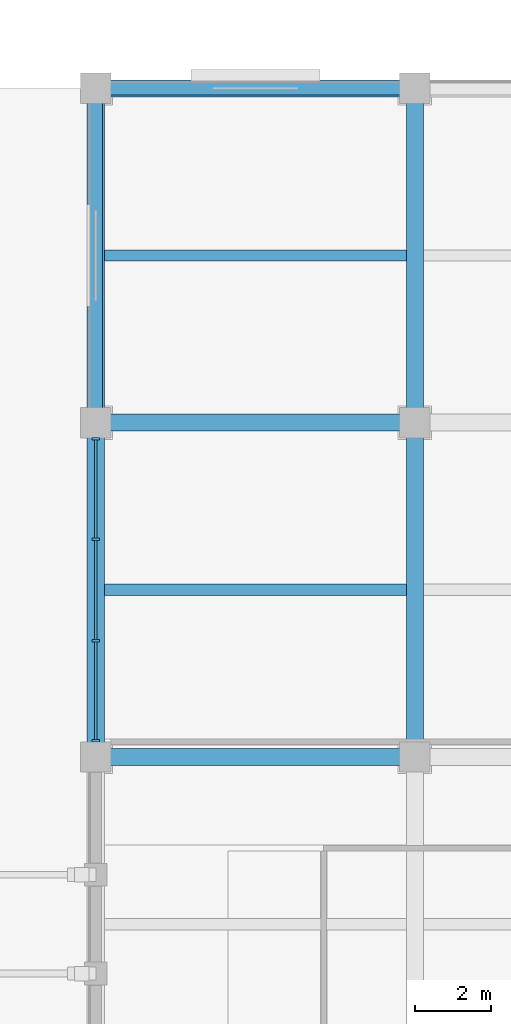
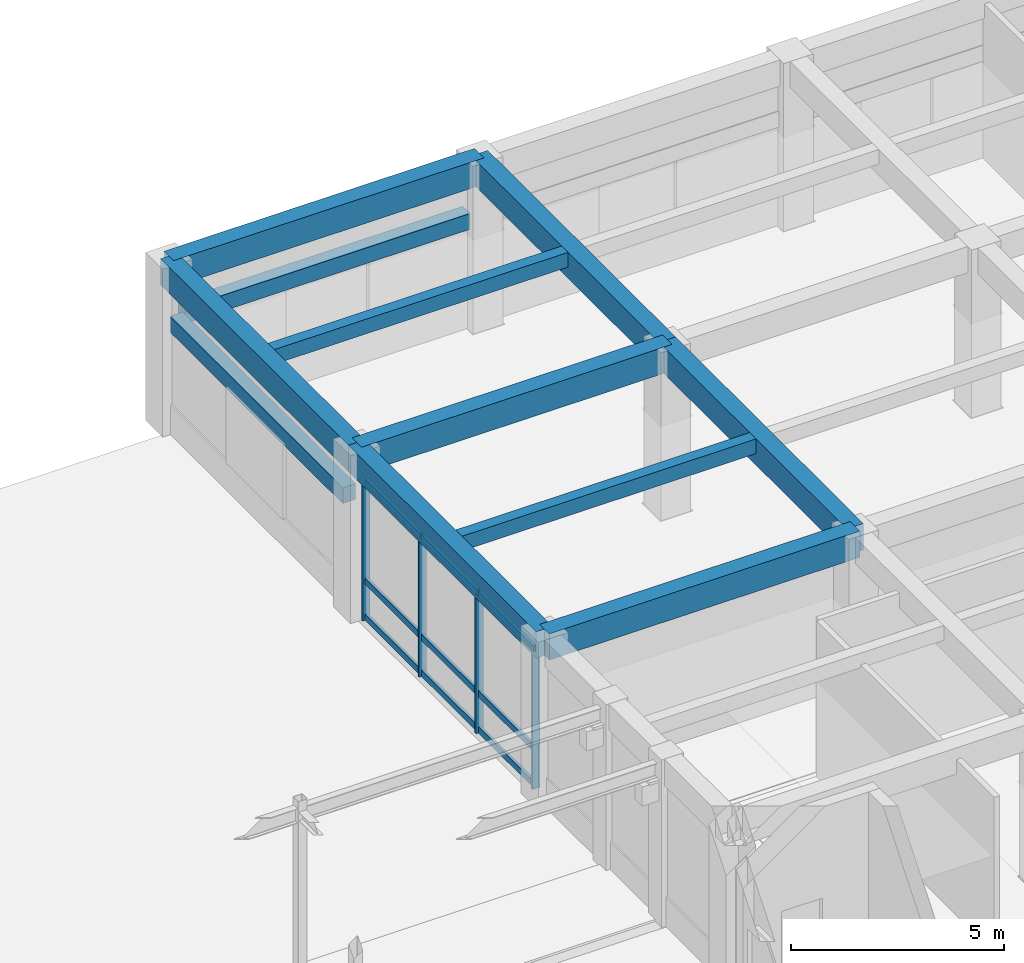
# One storey, part 19 of 58: 13 members, 11 beams, 1 element without a shape of its own.
"""IFC4 building model written with IfcOpenShell, lengths in metres."""

from ifc_helpers import new_model, si_unit, direction, frame, origin, origin_2d, place, context, subcontext, project, spatial, rectangle, extrude, material, material_profile, profile_set, type_object, element, aggregate, save


model = new_model("IFC4")

# Units and contexts
model_context = context("Model", 3, precision=1e-05, world=origin(), true_north=direction((0.0, 1.0)))
body_context = subcontext(model_context, "Body", "Model", "MODEL_VIEW")
ifc_project = project(units=[si_unit("LENGTHUNIT", "METRE"), si_unit("AREAUNIT", "SQUARE_METRE"), si_unit("VOLUMEUNIT", "CUBIC_METRE"), si_unit("PLANEANGLEUNIT", "RADIAN"), si_unit("MASSUNIT", "GRAM", prefix="KILO")], contexts=[model_context])

# Site, building, storey
site_placement = place(None, origin())
site = spatial("IfcSite", under=ifc_project, at=site_placement, CompositionType="ELEMENT")
building_placement = place(site_placement, origin())
building = spatial("IfcBuilding", under=site, at=building_placement, Name="Kemercrest Conservatory and Botanical Centre", CompositionType="ELEMENT")
storey_placement = place(building_placement, origin())
storey = spatial("IfcBuildingStorey", under=building, at=storey_placement, Name="L00", CompositionType="ELEMENT", Elevation=0.0)

# Beams
ifc_material_1 = material(Name="Concrete C40/50", Category="concrete")
ifc_material_profile_1 = material_profile(ifc_material_1, rectangle(XDim=0.449951171875, YDim=0.75, at=origin_2d()), Name="RC 450x750")
ifc_profile_set_1 = profile_set([ifc_material_profile_1], Name="Concrete C40/50")
beam_type_1 = type_object("IfcBeamType", Name="BM-RC75", PredefinedType="BEAM", material=ifc_profile_set_1)
for number, where, z_axis, x_axis, name in (
    (1, (125.60009765625, 104.800048828125, 4.425048828125), (1.0, 0.0, 0.0), (0.0, 1.0, 0.0), "V4-L01 beam BM-RC75 M/15-16"),
    (2, (125.60009765625, 113.60009765625, 4.425048828125), (1.0, 0.0, 0.0), (0.0, 1.0, 0.0), "V4-L01 beam BM-RC75 N/15-16"),
):
    element("IfcBeam", number, at=place(storey_placement, frame(where, z_axis=z_axis, x_axis=x_axis)), inside=storey, type_object=beam_type_1, Name=name, PredefinedType="BEAM", context=body_context, shape_type="SweptSolid", body=[
        extrude(rectangle(XDim=0.449951171875, YDim=0.75, at=origin_2d()), origin(), (0.0, 0.0, 1.0), 8.39990234375),
    ])
beam_1_placement = place(storey_placement, frame((134.0, 104.800048828125, 4.425048828125), z_axis=(0.0, 1.0, 0.0), x_axis=(-1.0, 0.0, 0.0)))
element("IfcBeam", 3, at=beam_1_placement, inside=storey, type_object=beam_type_1, Name="V4-L01 beam BM-RC75 16/M-N", PredefinedType="BEAM", context=body_context, shape_type="SweptSolid", body=[
    extrude(rectangle(XDim=0.449951171875, YDim=0.75, at=origin_2d()), origin(), (0.0, 0.0, 1.0), 8.800048828125),
])
beam_2_placement = place(storey_placement, frame((134.0, 113.60009765625, 4.425048828125), z_axis=(0.0, 1.0, 0.0), x_axis=(-1.0, 0.0, 0.0)))
element("IfcBeam", 4, at=beam_2_placement, inside=storey, type_object=beam_type_1, Name="V4-L01 beam BM-RC75 16/N-P", PredefinedType="BEAM", context=body_context, shape_type="SweptSolid", body=[
    extrude(rectangle(XDim=0.449951171875, YDim=0.75, at=origin_2d()), origin(), (0.0, 0.0, 1.0), 8.7998046875),
])

# Curtain wall, members
ifc_material_2 = material(Name="Thermally broken aluminium and triple low-e glazing", Category="aluminium")
curtain_wall_type = type_object("IfcCurtainWallType", Name="CW-18", PredefinedType="USERDEFINED", material=ifc_material_2)
curtain_wall_placement = place(storey_placement, origin())
curtain_wall = element("IfcCurtainWall", 5, at=curtain_wall_placement, inside=storey, type_object=curtain_wall_type, Name="Unitised curtain wall CW-18 (CW:L00:V4-047)", ObjectType="UNITISED CURTAIN WALL", PredefinedType="USERDEFINED")
ifc_material_3 = material(Name="Thermally broken anodized aluminium 6063-T6", Category="aluminium")
ifc_material_profile_2 = material_profile(ifc_material_3, rectangle(XDim=0.199951171875, YDim=0.06494140625, at=origin_2d()), Name="AL MULLION 65x200")
ifc_profile_set_2 = profile_set([ifc_material_profile_2], Name="Thermally broken anodized aluminium 6063-T6")
member_type_1 = type_object("IfcMemberType", Name="CW-M200", PredefinedType="MULLION", material=ifc_profile_set_2)
member_1_placement = place(storey_placement, frame((125.60009765625, 113.172607421875, 0.0), z_axis=(0.0, 0.0, 1.0), x_axis=(1.0, 0.0, 0.0)))
member_1 = element("IfcMember", 6, at=member_1_placement, type_object=member_type_1, Name="CW-18 mullion 1", PredefinedType="MULLION", context=body_context, shape_type="SweptSolid", body=[
    extrude(rectangle(XDim=0.199951171875, YDim=0.06494140625, at=origin_2d()), origin(), (0.0, 0.0, 1.0), 4.054931640625),
])
member_2_placement = place(storey_placement, frame((125.60009765625, 110.534912109375, 0.0), z_axis=(0.0, 0.0, 1.0), x_axis=(1.0, 0.0, 0.0)))
member_2 = element("IfcMember", 7, at=member_2_placement, type_object=member_type_1, Name="CW-18 mullion 2", PredefinedType="MULLION", context=body_context, shape_type="SweptSolid", body=[
    extrude(rectangle(XDim=0.199951171875, YDim=0.06494140625, at=origin_2d()), origin(), (0.0, 0.0, 1.0), 4.054931640625),
])
member_3_placement = place(storey_placement, frame((125.60009765625, 107.864990234375, 0.0), z_axis=(0.0, 0.0, 1.0), x_axis=(1.0, 0.0, 0.0)))
member_3 = element("IfcMember", 8, at=member_3_placement, type_object=member_type_1, Name="CW-18 mullion 3", PredefinedType="MULLION", context=body_context, shape_type="SweptSolid", body=[
    extrude(rectangle(XDim=0.199951171875, YDim=0.06494140625, at=origin_2d()), origin(), (0.0, 0.0, 1.0), 4.054931640625),
])
member_4_placement = place(storey_placement, frame((125.60009765625, 105.2275390625, 0.0), z_axis=(0.0, 0.0, 1.0), x_axis=(1.0, 0.0, 0.0)))
member_4 = element("IfcMember", 9, at=member_4_placement, type_object=member_type_1, Name="CW-18 mullion 4", PredefinedType="MULLION", context=body_context, shape_type="SweptSolid", body=[
    extrude(rectangle(XDim=0.199951171875, YDim=0.06494140625, at=origin_2d()), origin(), (0.0, 0.0, 1.0), 4.054931640625),
])
ifc_material_profile_3 = material_profile(ifc_material_3, rectangle(XDim=0.074951171875, YDim=0.179931640625, at=origin_2d()), Name="AL TRANSOM 75x180")
ifc_profile_set_3 = profile_set([ifc_material_profile_3], Name="Thermally broken anodized aluminium 6063-T6")
member_type_2 = type_object("IfcMemberType", Name="CW-T180", PredefinedType="USERDEFINED", material=ifc_profile_set_3)
member_5_placement = place(storey_placement, frame((125.60009765625, 113.139892578125, 0.090087890625), z_axis=(0.0, -1.0, 0.0), x_axis=(1.0, 0.0, 0.0)))
member_5 = element("IfcMember", 10, at=member_5_placement, type_object=member_type_2, Name="CW-18 transom 1.1", ObjectType="TRANSOM", PredefinedType="USERDEFINED", context=body_context, shape_type="SweptSolid", body=[
    extrude(rectangle(XDim=0.074951171875, YDim=0.179931640625, at=origin_2d()), origin(), (0.0, 0.0, 1.0), 2.572509765625),
])
member_6_placement = place(storey_placement, frame((125.60009765625, 113.139892578125, 1.1201171875), z_axis=(0.0, -1.0, 0.0), x_axis=(1.0, 0.0, 0.0)))
member_6 = element("IfcMember", 11, at=member_6_placement, type_object=member_type_2, Name="CW-18 transom 1.2", ObjectType="TRANSOM", PredefinedType="USERDEFINED", context=body_context, shape_type="SweptSolid", body=[
    extrude(rectangle(XDim=0.074951171875, YDim=0.179931640625, at=origin_2d()), origin(), (0.0, 0.0, 1.0), 2.572509765625),
])
member_7_placement = place(storey_placement, frame((125.60009765625, 113.139892578125, 3.965087890625), z_axis=(0.0, -1.0, 0.0), x_axis=(1.0, 0.0, 0.0)))
member_7 = element("IfcMember", 12, at=member_7_placement, type_object=member_type_2, Name="CW-18 transom 1.3", ObjectType="TRANSOM", PredefinedType="USERDEFINED", context=body_context, shape_type="SweptSolid", body=[
    extrude(rectangle(XDim=0.074951171875, YDim=0.179931640625, at=origin_2d()), origin(), (0.0, 0.0, 1.0), 2.572509765625),
])
member_8_placement = place(storey_placement, frame((125.60009765625, 110.50244140625, 0.090087890625), z_axis=(0.0, -1.0, 0.0), x_axis=(1.0, 0.0, 0.0)))
member_8 = element("IfcMember", 13, at=member_8_placement, type_object=member_type_2, Name="CW-18 transom 2.1", ObjectType="TRANSOM", PredefinedType="USERDEFINED", context=body_context, shape_type="SweptSolid", body=[
    extrude(rectangle(XDim=0.074951171875, YDim=0.179931640625, at=origin_2d()), origin(), (0.0, 0.0, 1.0), 2.60498046875),
])
member_9_placement = place(storey_placement, frame((125.60009765625, 110.50244140625, 1.1201171875), z_axis=(0.0, -1.0, 0.0), x_axis=(1.0, 0.0, 0.0)))
member_9 = element("IfcMember", 14, at=member_9_placement, type_object=member_type_2, Name="CW-18 transom 2.2", ObjectType="TRANSOM", PredefinedType="USERDEFINED", context=body_context, shape_type="SweptSolid", body=[
    extrude(rectangle(XDim=0.074951171875, YDim=0.179931640625, at=origin_2d()), origin(), (0.0, 0.0, 1.0), 2.60498046875),
])
member_10_placement = place(storey_placement, frame((125.60009765625, 110.50244140625, 3.965087890625), z_axis=(0.0, -1.0, 0.0), x_axis=(1.0, 0.0, 0.0)))
member_10 = element("IfcMember", 15, at=member_10_placement, type_object=member_type_2, Name="CW-18 transom 2.3", ObjectType="TRANSOM", PredefinedType="USERDEFINED", context=body_context, shape_type="SweptSolid", body=[
    extrude(rectangle(XDim=0.074951171875, YDim=0.179931640625, at=origin_2d()), origin(), (0.0, 0.0, 1.0), 2.60498046875),
])
member_11_placement = place(storey_placement, frame((125.60009765625, 107.83251953125, 0.090087890625), z_axis=(0.0, -1.0, 0.0), x_axis=(1.0, 0.0, 0.0)))
member_11 = element("IfcMember", 16, at=member_11_placement, type_object=member_type_2, Name="CW-18 transom 3.1", ObjectType="TRANSOM", PredefinedType="USERDEFINED", context=body_context, shape_type="SweptSolid", body=[
    extrude(rectangle(XDim=0.074951171875, YDim=0.179931640625, at=origin_2d()), origin(), (0.0, 0.0, 1.0), 2.572509765625),
])
member_12_placement = place(storey_placement, frame((125.60009765625, 107.83251953125, 1.1201171875), z_axis=(0.0, -1.0, 0.0), x_axis=(1.0, 0.0, 0.0)))
member_12 = element("IfcMember", 17, at=member_12_placement, type_object=member_type_2, Name="CW-18 transom 3.2", ObjectType="TRANSOM", PredefinedType="USERDEFINED", context=body_context, shape_type="SweptSolid", body=[
    extrude(rectangle(XDim=0.074951171875, YDim=0.179931640625, at=origin_2d()), origin(), (0.0, 0.0, 1.0), 2.572509765625),
])
member_13_placement = place(storey_placement, frame((125.60009765625, 107.83251953125, 3.965087890625), z_axis=(0.0, -1.0, 0.0), x_axis=(1.0, 0.0, 0.0)))
member_13 = element("IfcMember", 18, at=member_13_placement, type_object=member_type_2, Name="CW-18 transom 3.3", ObjectType="TRANSOM", PredefinedType="USERDEFINED", context=body_context, shape_type="SweptSolid", body=[
    extrude(rectangle(XDim=0.074951171875, YDim=0.179931640625, at=origin_2d()), origin(), (0.0, 0.0, 1.0), 2.572509765625),
])
aggregate(curtain_wall, [member_1, member_2, member_3, member_4, member_5, member_6, member_7, member_8, member_9, member_10, member_11, member_12, member_13])

# Beams
ifc_material_profile_4 = material_profile(ifc_material_1, rectangle(XDim=0.300048828125, YDim=0.419921875, at=origin_2d()), Name="RC 300x420")
ifc_profile_set_4 = profile_set([ifc_material_profile_4], Name="Concrete C40/50")
beam_type_2 = type_object("IfcBeamType", Name="JS-RC42", PredefinedType="JOIST", material=ifc_profile_set_4)
for number, where, z_axis, x_axis, name in (
    (19, (125.824951171875, 109.199951171875, 4.590087890625), (1.0, 0.0, 0.0), (0.0, 1.0, 0.0), "V4-L01 secondary joist JS-RC42"),
    (20, (125.824951171875, 118.0, 4.590087890625), (1.0, 0.0, 0.0), (0.0, 1.0, 0.0), "V4-L01 secondary joist JS-RC42"),
):
    element("IfcBeam", number, at=place(storey_placement, frame(where, z_axis=z_axis, x_axis=x_axis)), inside=storey, type_object=beam_type_2, Name=name, PredefinedType="JOIST", context=body_context, shape_type="SweptSolid", body=[
        extrude(rectangle(XDim=0.300048828125, YDim=0.419921875, at=origin_2d()), origin(), (0.0, 0.0, 1.0), 7.949951171875),
    ])
ifc_material_4 = material(Name="Precast concrete C40/50", Category="concrete")
ifc_material_profile_5 = material_profile(ifc_material_4, rectangle(XDim=0.35009765625, YDim=0.449951171875, at=origin_2d()), Name="RC 350x450")
ifc_profile_set_5 = profile_set([ifc_material_profile_5], Name="Precast concrete C40/50")
beam_type_3 = type_object("IfcBeamType", Name="LN-RC45", PredefinedType="LINTEL", material=ifc_profile_set_5)
beam_3_placement = place(storey_placement, frame((133.64990234375, 122.39990234375, 3.074951171875), z_axis=(-1.0, 0.0, 0.0), x_axis=(0.0, -1.0, 0.0)))
element("IfcBeam", 21, at=beam_3_placement, inside=storey, type_object=beam_type_3, Name="Precast arched window lintel (WIN:L00:EXT-169)", PredefinedType="LINTEL", context=body_context, shape_type="SweptSolid", body=[
    extrude(rectangle(XDim=0.35009765625, YDim=0.449951171875, at=origin_2d()), origin(), (0.0, 0.0, 1.0), 7.699951171875),
])
beam_4_placement = place(storey_placement, frame((125.60009765625, 122.050048828125, 3.125), z_axis=(0.0, -1.0, 0.0), x_axis=(1.0, 0.0, 0.0)))
element("IfcBeam", 22, at=beam_4_placement, inside=storey, type_object=beam_type_3, Name="Precast arched window lintel (WIN:L00:EXT-170)", PredefinedType="LINTEL", context=body_context, shape_type="SweptSolid", body=[
    extrude(rectangle(XDim=0.35009765625, YDim=0.449951171875, at=origin_2d()), origin(), (0.0, 0.0, 1.0), 8.10009765625),
])
ifc_material_profile_6 = material_profile(ifc_material_1, rectangle(XDim=0.449951171875, YDim=0.75, at=origin_2d()), Name="RC 450x750")
ifc_profile_set_6 = profile_set([ifc_material_profile_6], Name="Concrete C40/50")
beam_type_4 = type_object("IfcBeamType", Name="SP-RC75", PredefinedType="SPANDREL", material=ifc_profile_set_6)
beam_5_placement = place(storey_placement, frame((125.60009765625, 122.39990234375, 4.425048828125), z_axis=(1.0, 0.0, 0.0), x_axis=(0.0, 1.0, 0.0)))
element("IfcBeam", 23, at=beam_5_placement, inside=storey, type_object=beam_type_4, Name="V4-L01 beam SP-RC75 P/15-16", PredefinedType="SPANDREL", context=body_context, shape_type="SweptSolid", body=[
    extrude(rectangle(XDim=0.449951171875, YDim=0.75, at=origin_2d()), origin(), (0.0, 0.0, 1.0), 8.39990234375),
])
beam_6_placement = place(storey_placement, frame((125.60009765625, 104.800048828125, 4.425048828125), z_axis=(0.0, 1.0, 0.0), x_axis=(-1.0, 0.0, 0.0)))
element("IfcBeam", 24, at=beam_6_placement, inside=storey, type_object=beam_type_4, Name="V4-L01 beam SP-RC75 15/M-N", PredefinedType="SPANDREL", context=body_context, shape_type="SweptSolid", body=[
    extrude(rectangle(XDim=0.449951171875, YDim=0.75, at=origin_2d()), origin(), (0.0, 0.0, 1.0), 8.800048828125),
])
beam_7_placement = place(storey_placement, frame((125.60009765625, 113.60009765625, 4.425048828125), z_axis=(0.0, 1.0, 0.0), x_axis=(-1.0, 0.0, 0.0)))
element("IfcBeam", 25, at=beam_7_placement, inside=storey, type_object=beam_type_4, Name="V4-L01 beam SP-RC75 15/N-P", PredefinedType="SPANDREL", context=body_context, shape_type="SweptSolid", body=[
    extrude(rectangle(XDim=0.449951171875, YDim=0.75, at=origin_2d()), origin(), (0.0, 0.0, 1.0), 8.7998046875),
])

save(model, "model.ifc")
